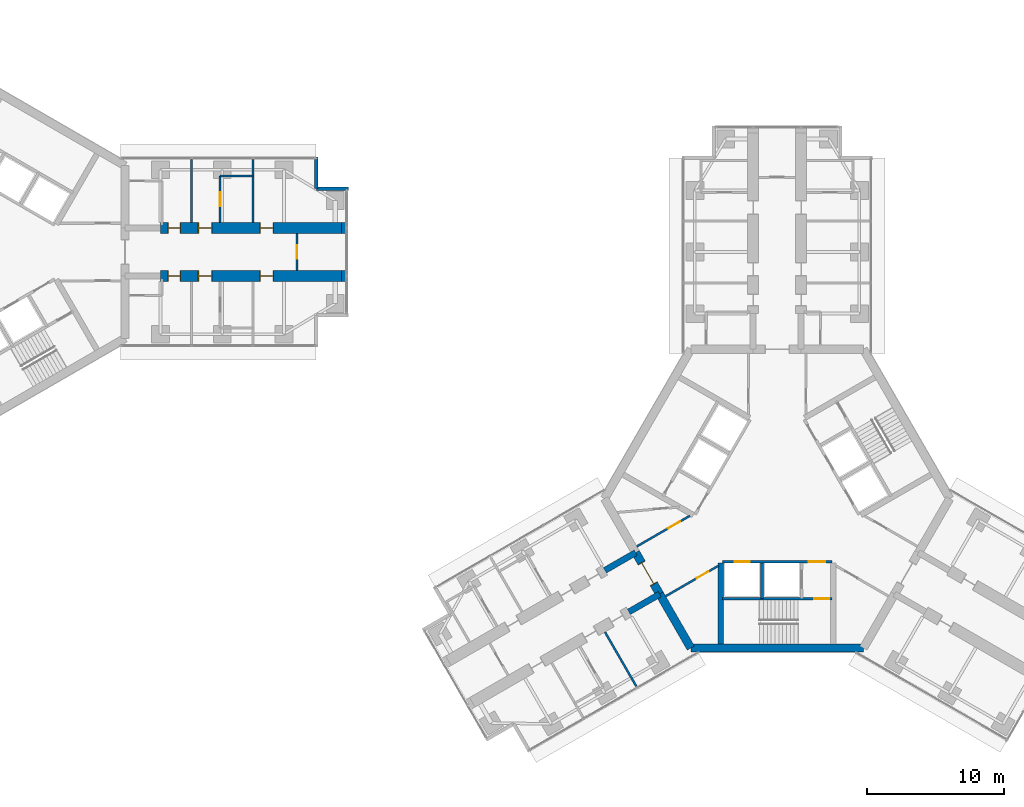
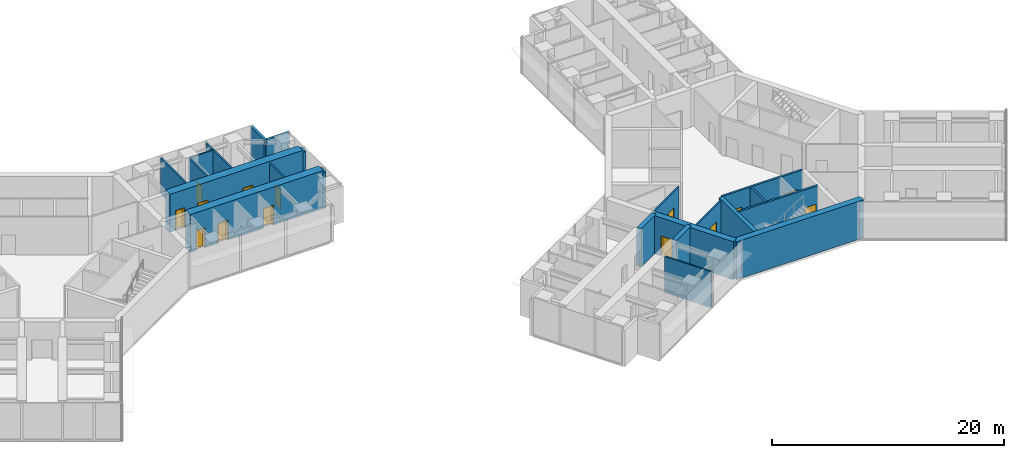
# One storey, part 18 of 22: 23 walls, 14 doors, 14 openings.
"""IFC4 building model written with IfcOpenShell, lengths in metres."""

import ifcopenshell
import ifcopenshell.guid

model = None  # the IFC model being written
_history = None  # IfcOwnerHistory: only IFC2X3 demands one
_inside = {}  # id of a spatial element -> (the spatial element, [elements in it])
_under = {}  # id of a project, library or spatial element -> (it, [spatial elements below it])
_declared = {}  # id of a project -> (the project, [libraries it declares])
_typed = {}  # id of a type object -> (the type object, [elements of that type])
_made_of = {}  # id of a material, layer set ... -> (it, [elements and type objects made of it])


def new_model(schema):
    """Start an empty IFC model of exactly this schema.

    Asked for "IFC4X3", IfcOpenShell would pick the latest addendum, in which some entities
    have other attributes; the version numbers below select the first issue.
    IFC2X3 requires an IfcOwnerHistory on every rooted entity: one is made here for all.
    """
    global model, _history
    if schema == "IFC4X3":
        model = ifcopenshell.file(schema_version=(4, 3, 0, 0))
    else:
        model = ifcopenshell.file(schema=schema)
    _inside.clear()
    _under.clear()
    _declared.clear()
    _typed.clear()
    _made_of.clear()
    _history = None
    if model.schema == "IFC2X3":
        org = make("IfcOrganization", Name="unknown")
        user = make(
            "IfcPersonAndOrganization",
            ThePerson=make("IfcPerson", FamilyName="unknown"),
            TheOrganization=org,
        )
        app = make(
            "IfcApplication",
            ApplicationDeveloper=org,
            Version="unknown",
            ApplicationFullName="unknown",
            ApplicationIdentifier="unknown",
        )
        _history = make(
            "IfcOwnerHistory",
            OwningUser=user,
            OwningApplication=app,
            ChangeAction="ADDED",
            CreationDate=0,
        )
    return model


def make(cls, **values):
    """One entity of the class cls with the attributes given. An attribute that is None is left unset."""
    return model.create_entity(
        cls, **{name: value for name, value in values.items() if value is not None}
    )


def rooted(cls, **values):
    """An entity with a GlobalId (a new one), such as an element, a storey or a relation."""
    return make(cls, GlobalId=ifcopenshell.guid.new(), OwnerHistory=_history, **values)


def si_unit(unit_type, name, prefix=None):
    """IfcSIUnit, for example si_unit("LENGTHUNIT", "METRE", prefix="MILLI")."""
    return make("IfcSIUnit", UnitType=unit_type, Prefix=prefix, Name=name)


def assignment(units):
    """IfcUnitAssignment: the units of a project."""
    return None if units is None else make("IfcUnitAssignment", Units=units)


def point(xyz):
    """IfcCartesianPoint."""
    return None if xyz is None else make("IfcCartesianPoint", Coordinates=xyz)


def direction(xyz):
    """IfcDirection."""
    return None if xyz is None else make("IfcDirection", DirectionRatios=xyz)


def frame(location, z_axis=None, x_axis=None):
    """IfcAxis2Placement3D, a coordinate frame: its origin and axes. An axis left out is left unset."""
    return make(
        "IfcAxis2Placement3D",
        Location=point(location),
        Axis=direction(z_axis),
        RefDirection=direction(x_axis),
    )


def frame_2d(location, x_axis=None):
    """IfcAxis2Placement2D, a coordinate frame in the plane: its origin and x axis."""
    return make(
        "IfcAxis2Placement2D", Location=point(location), RefDirection=direction(x_axis)
    )


def origin():
    """The frame at (0, 0, 0) with its axes left unset."""
    return frame((0.0, 0.0, 0.0))


def place(relative_to, where):
    """IfcLocalPlacement: puts the frame where relative to a parent placement (None: the world)."""
    return make(
        "IfcLocalPlacement", PlacementRelTo=relative_to, RelativePlacement=where
    )


def context(
    kind, dimensions, precision=None, world=None, true_north=None, identifier=None
):
    """IfcGeometricRepresentationContext, for example the 3D "Model" context."""
    return make(
        "IfcGeometricRepresentationContext",
        ContextIdentifier=identifier,
        ContextType=kind,
        CoordinateSpaceDimension=dimensions,
        Precision=precision,
        WorldCoordinateSystem=world,
        TrueNorth=true_north,
    )


def subcontext(parent, identifier, kind, view, scale=None):
    """IfcGeometricRepresentationSubContext, for example "Body" below "Model"."""
    return make(
        "IfcGeometricRepresentationSubContext",
        ContextIdentifier=identifier,
        ContextType=kind,
        ParentContext=parent,
        TargetScale=scale,
        TargetView=view,
    )


def project(units=None, contexts=None):
    """IfcProject with its units and contexts."""
    return rooted(
        "IfcProject",
        Name="project",
        RepresentationContexts=contexts,
        UnitsInContext=assignment(units),
    )


def spatial(cls, under=None, at=None, **own):
    """A site, building, storey or space (cls), placed at a placement, below another one or the project."""
    s = rooted(cls, ObjectPlacement=at, **own)
    if under is not None:
        _under.setdefault(under.id(), (under, []))[1].append(s)
    return s


def profile(cls, at=None, kind="AREA", **sizes):
    """A parametric profile (cls). Its sizes go by their IFC names, for example OverallWidth=200.0."""
    return make(cls, ProfileType=kind, Position=at, **sizes)


def rectangle(**sizes):
    """IfcRectangleProfileDef."""
    return profile("IfcRectangleProfileDef", **sizes)


def extrude(swept, where, along, depth):
    """IfcExtrudedAreaSolid: the profile swept, set in the frame where, extruded along a direction by depth."""
    return make(
        "IfcExtrudedAreaSolid",
        SweptArea=swept,
        Position=where,
        ExtrudedDirection=direction(along),
        Depth=depth,
    )


def shape(context_of_items, identifier, shape_type, items):
    """IfcShapeRepresentation: the items that make up one representation, for example the "Body"."""
    return make(
        "IfcShapeRepresentation",
        ContextOfItems=context_of_items,
        RepresentationIdentifier=identifier,
        RepresentationType=shape_type,
        Items=items,
    )


def material(Name=None, Category=None):
    """IfcMaterial."""
    return make("IfcMaterial", Name=Name, Category=Category)


def layer(
    of_material, thickness, ventilated=None, Name=None, Category=None, Priority=None
):
    """IfcMaterialLayer: one layer of a wall or slab, of a material (None: an air gap)."""
    return make(
        "IfcMaterialLayer",
        Material=of_material,
        LayerThickness=thickness,
        IsVentilated=ventilated,
        Name=Name,
        Category=Category,
        Priority=Priority,
    )


def layer_set(layers, Name=None):
    """IfcMaterialLayerSet."""
    return make("IfcMaterialLayerSet", MaterialLayers=layers, LayerSetName=Name)


def made_of(thing, what):
    """Note that an element or type object is made of a material, layer set ...; save() writes the relation."""
    if what is not None:
        _made_of.setdefault(what.id(), (what, []))[1].append(thing)
    return thing


def type_object(cls, material=None, **own):
    """A type object (cls), such as IfcWallType, which elements share."""
    return made_of(rooted(cls, **own), material)


def element(
    cls,
    number,
    at=None,
    inside=None,
    cuts=None,
    type_object=None,
    material=None,
    context=None,
    identifier="Body",
    shape_type=None,
    held_by="IfcProductDefinitionShape",
    body=None,
    shapes=None,
    **own,
):
    """One element of the class cls, such as IfcWall. Its Tag is "e" and its number.

    at: its placement. inside: the storey or other place that contains it. cuts: it is an
    opening in that element (IfcRelVoidsElement). A single representation is given by context,
    identifier, shape_type and body (its items); several are given by shapes. held_by: the class
    of the entity that holds the representations. save() writes the other relations.
    """
    e = rooted(cls, Tag="e%d" % number, ObjectPlacement=at, **own)
    if body is not None:
        shapes = [shape(context, identifier, shape_type, body)]
    if shapes is not None:
        e.Representation = make(held_by, Representations=shapes)
    if inside is not None:
        _inside.setdefault(inside.id(), (inside, []))[1].append(e)
    if cuts is not None:
        rooted(
            "IfcRelVoidsElement", RelatingBuildingElement=cuts, RelatedOpeningElement=e
        )
    if type_object is not None:
        _typed.setdefault(type_object.id(), (type_object, []))[1].append(e)
    return made_of(e, material)


def fill(opening, filler):
    """IfcRelFillsElement: the door or window that sits in an opening."""
    return rooted(
        "IfcRelFillsElement",
        RelatingOpeningElement=opening,
        RelatedBuildingElement=filler,
    )


def aggregate(whole, parts):
    """IfcRelAggregates: a whole, such as a stair, and the parts it consists of."""
    return rooted("IfcRelAggregates", RelatingObject=whole, RelatedObjects=parts)


def save(model, path):
    """Write the relations noted so far, then the file.

    IfcRelAggregates (storeys below a building ...), IfcRelContainedInSpatialStructure (elements
    in a storey), IfcRelDefinesByType, IfcRelAssociatesMaterial and IfcRelDeclares: one each for
    every whole, place, type object, material and project.
    """
    for whole, parts in _under.values():
        aggregate(whole, parts)
    for where, things in _inside.values():
        rooted(
            "IfcRelContainedInSpatialStructure",
            RelatedElements=things,
            RelatingStructure=where,
        )
    for kind, things in _typed.values():
        rooted("IfcRelDefinesByType", RelatedObjects=things, RelatingType=kind)
    for what, things in _made_of.values():
        rooted("IfcRelAssociatesMaterial", RelatedObjects=things, RelatingMaterial=what)
    for by, libraries in _declared.values():
        rooted("IfcRelDeclares", RelatingContext=by, RelatedDefinitions=libraries)
    model.write(path)


model = new_model("IFC4")

# Units and contexts
model_context = context("Model", 3, precision=1e-05, world=origin(), true_north=direction((0.0, 1.0)))
body_context = subcontext(model_context, "Body", "Model", "MODEL_VIEW")
ifc_project = project(units=[si_unit("LENGTHUNIT", "METRE"), si_unit("AREAUNIT", "SQUARE_METRE"), si_unit("VOLUMEUNIT", "CUBIC_METRE"), si_unit("PLANEANGLEUNIT", "RADIAN"), si_unit("MASSUNIT", "GRAM", prefix="KILO")], contexts=[model_context])

# Site, building, storey
site_placement = place(None, origin())
site = spatial("IfcSite", under=ifc_project, at=site_placement, CompositionType="ELEMENT")
building_placement = place(site_placement, origin())
building = spatial("IfcBuilding", under=site, at=building_placement, Name="Upepo Twin Towers", CompositionType="ELEMENT")
storey_placement = place(building_placement, frame((0.0, 0.0, 133.5)))
storey = spatial("IfcBuildingStorey", under=building, at=storey_placement, Name="L32", CompositionType="ELEMENT", Elevation=133.5)

# Walls
ifc_material_1 = material(Name="Dense concrete blockwork", Category="masonry")
ifc_layer_1 = layer(ifc_material_1, 0.800048828125)
ifc_layer_set_1 = layer_set([ifc_layer_1], Name="Buttress closer 800, blockwork with fire-stopping to the curtain wall")
wall_type_1 = type_object("IfcWallType", Name="Buttress closer 800, blockwork with fire-stopping to the curtain wall", PredefinedType="PARTITIONING", material=ifc_layer_set_1)
for number, where, z_axis, x_axis, name in (
    (1, (26.699951171875, 1.75, 0.0), (0.0, 0.0, 1.0), (1.0, 0.0, 0.0), "T1 L32 wing A buttress closer L"),
    (2, (26.699951171875, -1.75, 0.0), (0.0, 0.0, 1.0), (1.0, 0.0, 0.0), "T1 L32 wing A buttress closer R"),
):
    element("IfcWall", number, at=place(storey_placement, frame(where, z_axis=z_axis, x_axis=x_axis)), inside=storey, type_object=wall_type_1, Name=name, PredefinedType="PARTITIONING", context=body_context, shape_type="SweptSolid", body=[
        extrude(rectangle(XDim=0.300048828125, YDim=0.800048828125, at=frame_2d((0.14990234375, 0.0))), origin(), (0.0, 0.0, 1.0), 3.800048828125),
    ])
ifc_material_2 = material(Name="Concrete C60/75", Category="concrete")
ifc_layer_2 = layer(ifc_material_2, 0.449951171875)
ifc_layer_set_2 = layer_set([ifc_layer_2], Name="Concrete C60/75")
wall_type_2 = type_object("IfcWallType", Name="Buttress wall 450 RC", PredefinedType="SHEAR", material=ifc_layer_set_2)
for number, where, z_axis, x_axis, name in (
    (3, (49.92822265625, -24.9697265625, 0.0), (0.0, 0.0, 1.0), (-0.866031863473, -0.499988811324, 0.0), "T2 wing B buttress wall L"),
    (4, (48.17822265625, -21.938720703125, 0.0), (0.0, 0.0, 1.0), (-0.866072649678, -0.499918158782, 0.0), "T2 wing B buttress wall R"),
):
    element("IfcWall", number, at=place(storey_placement, frame(where, z_axis=z_axis, x_axis=x_axis)), inside=storey, type_object=wall_type_2, Name=name, PredefinedType="SHEAR", context=body_context, shape_type="SweptSolid", body=[
        extrude(rectangle(XDim=2.591796875, YDim=0.449951171875, at=frame_2d((1.2958984375, 0.0))), origin(), (0.0, 0.0, 1.0), 4.0),
    ])

# Wall, openings, doors
ifc_material_3 = material(Name="Concrete C60/75", Category="concrete")
ifc_layer_3 = layer(ifc_material_3, 0.800048828125)
ifc_layer_set_3 = layer_set([ifc_layer_3], Name="Concrete C60/75")
wall_type_3 = type_object("IfcWallType", Name="Buttress wall 800 RC", PredefinedType="SHEAR", material=ifc_layer_set_3)
wall_1_placement = place(storey_placement, frame((13.5, 1.75, 0.0), z_axis=(0.0, 0.0, 1.0), x_axis=(1.0, 0.0, 0.0)))
wall_1 = element("IfcWall", 5, at=wall_1_placement, inside=storey, type_object=wall_type_3, Name="T1 wing A buttress wall L part 2", PredefinedType="SHEAR", context=body_context, shape_type="SweptSolid", body=[
    extrude(rectangle(XDim=13.199951171875, YDim=0.800048828125, at=frame_2d((6.60009765625, 0.0))), origin(), (0.0, 0.0, 1.0), 4.0),
])
opening_1_placement = place(wall_1_placement, frame((0.550048828125, 0.0, 0.0)))
opening_1 = element("IfcOpeningElement", 6, at=opening_1_placement, cuts=wall_1, Name="Opening D11", PredefinedType="OPENING", context=body_context, shape_type="SweptSolid", body=[
    extrude(rectangle(XDim=0.89990234375, YDim=2.10009765625, at=frame_2d((0.449951171875, 1.050048828125))), frame((0.0, 0.409912109375, 0.0), z_axis=(0.0, -1.0, 0.0), x_axis=(1.0, 0.0, 0.0)), (0.0, 0.0, 1.0), 0.820068359375),
])
opening_2_placement = place(wall_1_placement, frame((2.75, 0.0, 0.0)))
opening_2 = element("IfcOpeningElement", 7, at=opening_2_placement, cuts=wall_1, Name="Opening D1", PredefinedType="OPENING", context=body_context, shape_type="SweptSolid", body=[
    extrude(rectangle(XDim=1.0, YDim=2.10009765625, at=frame_2d((0.5, 1.050048828125))), frame((0.0, 0.409912109375, 0.0), z_axis=(0.0, -1.0, 0.0), x_axis=(1.0, 0.0, 0.0)), (0.0, 0.0, 1.0), 0.820068359375),
])
opening_3_placement = place(wall_1_placement, frame((7.25, 0.0, 0.0)))
opening_3 = element("IfcOpeningElement", 8, at=opening_3_placement, cuts=wall_1, Name="Opening D1", PredefinedType="OPENING", context=body_context, shape_type="SweptSolid", body=[
    extrude(rectangle(XDim=1.0, YDim=2.10009765625, at=frame_2d((0.5, 1.050048828125))), frame((0.0, 0.409912109375, 0.0), z_axis=(0.0, -1.0, 0.0), x_axis=(1.0, 0.0, 0.0)), (0.0, 0.0, 1.0), 0.820068359375),
])
ifc_material_4 = material(Name="Timber doorset", Category="wood")
door_type_1 = type_object("IfcDoorType", Name="Room door 1000 FD30", OperationType="SINGLE_SWING_LEFT", PredefinedType="DOOR", material=ifc_material_4)
door_1_placement = place(opening_2_placement, origin())
door_1 = element("IfcDoor", 9, at=door_1_placement, inside=storey, type_object=door_type_1, Name="T1 L32 seminar room door", OperationType="SINGLE_SWING_LEFT", OverallHeight=2.10009765625, OverallWidth=1.0, PredefinedType="DOOR", context=body_context, shape_type="SweptSolid", body=[
    extrude(rectangle(XDim=0.92, YDim=2.06009765625, at=frame_2d((0.5, 1.030029296875))), frame((0.0, 0.02490234375, 0.0), z_axis=(0.0, -1.0, 0.0), x_axis=(1.0, 0.0, 0.0)), (0.0, 0.0, 1.0), 0.050048828125),
    extrude(rectangle(XDim=0.04, YDim=2.10009765625, at=frame_2d((0.02001953125, 1.050048828125))), frame((0.0, 0.39990234375, 0.0), z_axis=(0.0, -1.0, 0.0), x_axis=(1.0, 0.0, 0.0)), (0.0, 0.0, 1.0), 0.799560546875),
    extrude(rectangle(XDim=0.04, YDim=2.10009765625, at=frame_2d((0.97998046875, 1.050048828125))), frame((0.0, 0.39990234375, 0.0), z_axis=(0.0, -1.0, 0.0), x_axis=(1.0, 0.0, 0.0)), (0.0, 0.0, 1.0), 0.799560546875),
    extrude(rectangle(XDim=0.92, YDim=0.04, at=frame_2d((0.5, 2.080078125))), frame((0.0, 0.39990234375, 0.0), z_axis=(0.0, -1.0, 0.0), x_axis=(1.0, 0.0, 0.0)), (0.0, 0.0, 1.0), 0.799560546875),
])
fill(opening_2, door_1)
door_2_placement = place(opening_3_placement, origin())
door_2 = element("IfcDoor", 10, at=door_2_placement, inside=storey, type_object=door_type_1, Name="T1 L32 staff office door", OperationType="SINGLE_SWING_RIGHT", OverallHeight=2.10009765625, OverallWidth=1.0, PredefinedType="DOOR", context=body_context, shape_type="SweptSolid", body=[
    extrude(rectangle(XDim=0.92, YDim=2.06009765625, at=frame_2d((0.5, 1.030029296875))), frame((0.0, 0.02490234375, 0.0), z_axis=(0.0, -1.0, 0.0), x_axis=(1.0, 0.0, 0.0)), (0.0, 0.0, 1.0), 0.050048828125),
    extrude(rectangle(XDim=0.04, YDim=2.10009765625, at=frame_2d((0.02001953125, 1.050048828125))), frame((0.0, 0.39990234375, 0.0), z_axis=(0.0, -1.0, 0.0), x_axis=(1.0, 0.0, 0.0)), (0.0, 0.0, 1.0), 0.799560546875),
    extrude(rectangle(XDim=0.04, YDim=2.10009765625, at=frame_2d((0.97998046875, 1.050048828125))), frame((0.0, 0.39990234375, 0.0), z_axis=(0.0, -1.0, 0.0), x_axis=(1.0, 0.0, 0.0)), (0.0, 0.0, 1.0), 0.799560546875),
    extrude(rectangle(XDim=0.92, YDim=0.04, at=frame_2d((0.5, 2.080078125))), frame((0.0, 0.39990234375, 0.0), z_axis=(0.0, -1.0, 0.0), x_axis=(1.0, 0.0, 0.0)), (0.0, 0.0, 1.0), 0.799560546875),
])
fill(opening_3, door_2)
ifc_material_5 = material(Name="Timber doorset", Category="wood")
door_type_2 = type_object("IfcDoorType", Name="Toilet door 900", OperationType="SINGLE_SWING_LEFT", PredefinedType="DOOR", material=ifc_material_5)
door_3_placement = place(opening_1_placement, origin())
door_3 = element("IfcDoor", 11, at=door_3_placement, inside=storey, type_object=door_type_2, Name="T1 L32 accessible wc door", OperationType="SINGLE_SWING_LEFT", OverallHeight=2.10009765625, OverallWidth=0.89990234375, PredefinedType="DOOR", context=body_context, shape_type="SweptSolid", body=[
    extrude(rectangle(XDim=0.81990234375, YDim=2.06009765625, at=frame_2d((0.449951171875, 1.030029296875))), frame((0.0, 0.02490234375, 0.0), z_axis=(0.0, -1.0, 0.0), x_axis=(1.0, 0.0, 0.0)), (0.0, 0.0, 1.0), 0.050048828125),
    extrude(rectangle(XDim=0.04, YDim=2.10009765625, at=frame_2d((0.02001953125, 1.050048828125))), frame((0.0, 0.39990234375, 0.0), z_axis=(0.0, -1.0, 0.0), x_axis=(1.0, 0.0, 0.0)), (0.0, 0.0, 1.0), 0.799560546875),
    extrude(rectangle(XDim=0.04, YDim=2.10009765625, at=frame_2d((0.8798828125, 1.050048828125))), frame((0.0, 0.39990234375, 0.0), z_axis=(0.0, -1.0, 0.0), x_axis=(1.0, 0.0, 0.0)), (0.0, 0.0, 1.0), 0.799560546875),
    extrude(rectangle(XDim=0.81990234375, YDim=0.04, at=frame_2d((0.449951171875, 2.080078125))), frame((0.0, 0.39990234375, 0.0), z_axis=(0.0, -1.0, 0.0), x_axis=(1.0, 0.0, 0.0)), (0.0, 0.0, 1.0), 0.799560546875),
])
fill(opening_1, door_3)

wall_2_placement = place(storey_placement, frame((13.5, -1.75, 0.0), z_axis=(0.0, 0.0, 1.0), x_axis=(1.0, 0.0, 0.0)))
wall_2 = element("IfcWall", 12, at=wall_2_placement, inside=storey, type_object=wall_type_3, Name="T1 wing A buttress wall R part 2", PredefinedType="SHEAR", context=body_context, shape_type="SweptSolid", body=[
    extrude(rectangle(XDim=13.199951171875, YDim=0.800048828125, at=frame_2d((6.60009765625, 0.0))), origin(), (0.0, 0.0, 1.0), 4.0),
])
opening_4_placement = place(wall_2_placement, frame((0.550048828125, 0.0, 0.0)))
opening_4 = element("IfcOpeningElement", 13, at=opening_4_placement, cuts=wall_2, Name="Opening D11", PredefinedType="OPENING", context=body_context, shape_type="SweptSolid", body=[
    extrude(rectangle(XDim=0.89990234375, YDim=2.10009765625, at=frame_2d((0.449951171875, 1.050048828125))), frame((0.0, 0.409912109375, 0.0), z_axis=(0.0, -1.0, 0.0), x_axis=(1.0, 0.0, 0.0)), (0.0, 0.0, 1.0), 0.820068359375),
])
opening_5_placement = place(wall_2_placement, frame((2.75, 0.0, 0.0)))
opening_5 = element("IfcOpeningElement", 14, at=opening_5_placement, cuts=wall_2, Name="Opening D1", PredefinedType="OPENING", context=body_context, shape_type="SweptSolid", body=[
    extrude(rectangle(XDim=1.0, YDim=2.10009765625, at=frame_2d((0.5, 1.050048828125))), frame((0.0, 0.409912109375, 0.0), z_axis=(0.0, -1.0, 0.0), x_axis=(1.0, 0.0, 0.0)), (0.0, 0.0, 1.0), 0.820068359375),
])
opening_6_placement = place(wall_2_placement, frame((7.25, 0.0, 0.0)))
opening_6 = element("IfcOpeningElement", 15, at=opening_6_placement, cuts=wall_2, Name="Opening D1", PredefinedType="OPENING", context=body_context, shape_type="SweptSolid", body=[
    extrude(rectangle(XDim=1.0, YDim=2.10009765625, at=frame_2d((0.5, 1.050048828125))), frame((0.0, 0.409912109375, 0.0), z_axis=(0.0, -1.0, 0.0), x_axis=(1.0, 0.0, 0.0)), (0.0, 0.0, 1.0), 0.820068359375),
])
door_4_placement = place(opening_5_placement, origin())
door_4 = element("IfcDoor", 16, at=door_4_placement, inside=storey, type_object=door_type_1, Name="T1 L32 tutorial room door", OperationType="SINGLE_SWING_LEFT", OverallHeight=2.10009765625, OverallWidth=1.0, PredefinedType="DOOR", context=body_context, shape_type="SweptSolid", body=[
    extrude(rectangle(XDim=0.92, YDim=2.06009765625, at=frame_2d((0.5, 1.030029296875))), frame((0.0, 0.02490234375, 0.0), z_axis=(0.0, -1.0, 0.0), x_axis=(1.0, 0.0, 0.0)), (0.0, 0.0, 1.0), 0.050048828125),
    extrude(rectangle(XDim=0.04, YDim=2.10009765625, at=frame_2d((0.02001953125, 1.050048828125))), frame((0.0, 0.39990234375, 0.0), z_axis=(0.0, -1.0, 0.0), x_axis=(1.0, 0.0, 0.0)), (0.0, 0.0, 1.0), 0.799560546875),
    extrude(rectangle(XDim=0.04, YDim=2.10009765625, at=frame_2d((0.97998046875, 1.050048828125))), frame((0.0, 0.39990234375, 0.0), z_axis=(0.0, -1.0, 0.0), x_axis=(1.0, 0.0, 0.0)), (0.0, 0.0, 1.0), 0.799560546875),
    extrude(rectangle(XDim=0.92, YDim=0.04, at=frame_2d((0.5, 2.080078125))), frame((0.0, 0.39990234375, 0.0), z_axis=(0.0, -1.0, 0.0), x_axis=(1.0, 0.0, 0.0)), (0.0, 0.0, 1.0), 0.799560546875),
])
fill(opening_5, door_4)
door_5_placement = place(opening_6_placement, origin())
door_5 = element("IfcDoor", 17, at=door_5_placement, inside=storey, type_object=door_type_1, Name="T1 L32 computing laboratory door", OperationType="SINGLE_SWING_RIGHT", OverallHeight=2.10009765625, OverallWidth=1.0, PredefinedType="DOOR", context=body_context, shape_type="SweptSolid", body=[
    extrude(rectangle(XDim=0.92, YDim=2.06009765625, at=frame_2d((0.5, 1.030029296875))), frame((0.0, 0.02490234375, 0.0), z_axis=(0.0, -1.0, 0.0), x_axis=(1.0, 0.0, 0.0)), (0.0, 0.0, 1.0), 0.050048828125),
    extrude(rectangle(XDim=0.04, YDim=2.10009765625, at=frame_2d((0.02001953125, 1.050048828125))), frame((0.0, 0.39990234375, 0.0), z_axis=(0.0, -1.0, 0.0), x_axis=(1.0, 0.0, 0.0)), (0.0, 0.0, 1.0), 0.799560546875),
    extrude(rectangle(XDim=0.04, YDim=2.10009765625, at=frame_2d((0.97998046875, 1.050048828125))), frame((0.0, 0.39990234375, 0.0), z_axis=(0.0, -1.0, 0.0), x_axis=(1.0, 0.0, 0.0)), (0.0, 0.0, 1.0), 0.799560546875),
    extrude(rectangle(XDim=0.92, YDim=0.04, at=frame_2d((0.5, 2.080078125))), frame((0.0, 0.39990234375, 0.0), z_axis=(0.0, -1.0, 0.0), x_axis=(1.0, 0.0, 0.0)), (0.0, 0.0, 1.0), 0.799560546875),
])
fill(opening_6, door_5)
door_6_placement = place(opening_4_placement, origin())
door_6 = element("IfcDoor", 18, at=door_6_placement, inside=storey, type_object=door_type_2, Name="T1 L32 toilets door", OperationType="SINGLE_SWING_LEFT", OverallHeight=2.10009765625, OverallWidth=0.89990234375, PredefinedType="DOOR", context=body_context, shape_type="SweptSolid", body=[
    extrude(rectangle(XDim=0.81990234375, YDim=2.06009765625, at=frame_2d((0.449951171875, 1.030029296875))), frame((0.0, 0.02490234375, 0.0), z_axis=(0.0, -1.0, 0.0), x_axis=(1.0, 0.0, 0.0)), (0.0, 0.0, 1.0), 0.050048828125),
    extrude(rectangle(XDim=0.04, YDim=2.10009765625, at=frame_2d((0.02001953125, 1.050048828125))), frame((0.0, 0.39990234375, 0.0), z_axis=(0.0, -1.0, 0.0), x_axis=(1.0, 0.0, 0.0)), (0.0, 0.0, 1.0), 0.799560546875),
    extrude(rectangle(XDim=0.04, YDim=2.10009765625, at=frame_2d((0.8798828125, 1.050048828125))), frame((0.0, 0.39990234375, 0.0), z_axis=(0.0, -1.0, 0.0), x_axis=(1.0, 0.0, 0.0)), (0.0, 0.0, 1.0), 0.799560546875),
    extrude(rectangle(XDim=0.81990234375, YDim=0.04, at=frame_2d((0.449951171875, 2.080078125))), frame((0.0, 0.39990234375, 0.0), z_axis=(0.0, -1.0, 0.0), x_axis=(1.0, 0.0, 0.0)), (0.0, 0.0, 1.0), 0.799560546875),
])
fill(opening_4, door_6)

# Wall, opening, door
ifc_material_6 = material(Name="Concrete C60/75", Category="concrete")
ifc_layer_4 = layer(ifc_material_6, 0.60009765625)
ifc_layer_set_4 = layer_set([ifc_layer_4], Name="Concrete C60/75")
wall_type_4 = type_object("IfcWallType", Name="Core wall 600 RC", PredefinedType="SHEAR", material=ifc_layer_set_4)
wall_3_placement = place(storey_placement, frame((48.17822265625, -21.938720703125, 0.0), z_axis=(0.0, 0.0, 1.0), x_axis=(0.500010275428, -0.866019471182, 0.0)))
wall_3 = element("IfcWall", 19, at=wall_3_placement, inside=storey, type_object=wall_type_4, Name="T2 core wall 120", PredefinedType="SHEAR", context=body_context, shape_type="SweptSolid", body=[
    extrude(rectangle(XDim=3.5, YDim=0.60009765625, at=frame_2d((1.75, 0.0))), origin(), (0.0, 0.0, 1.0), 4.0),
])
opening_7_placement = place(wall_3_placement, frame((0.85009765625, 0.0, 0.0)))
opening_7 = element("IfcOpeningElement", 20, at=opening_7_placement, cuts=wall_3, Name="Opening D2", PredefinedType="OPENING", context=body_context, shape_type="SweptSolid", body=[
    extrude(rectangle(XDim=1.800048828125, YDim=2.10009765625, at=frame_2d((0.89990234375, 1.050048828125))), frame((0.0, 0.31005859375, 0.0), z_axis=(0.0, -1.0, 0.0), x_axis=(1.0, 0.0, 0.0)), (0.0, 0.0, 1.0), 0.6201171875),
])
ifc_material_7 = material(Name="Timber doorset", Category="wood")
door_type_3 = type_object("IfcDoorType", Name="Corridor double door 1800 FD60", OperationType="DOUBLE_DOOR_DOUBLE_SWING", PredefinedType="DOOR", material=ifc_material_7)
door_7_placement = place(opening_7_placement, origin())
door_7 = element("IfcDoor", 21, at=door_7_placement, inside=storey, type_object=door_type_3, Name="T2 L32 wing B corridor door", OperationType="DOUBLE_DOOR_DOUBLE_SWING", OverallHeight=2.10009765625, OverallWidth=1.800048828125, PredefinedType="DOOR", context=body_context, shape_type="SweptSolid", body=[
    extrude(rectangle(XDim=1.720048828125, YDim=2.06009765625, at=frame_2d((0.89990234375, 1.030029296875))), frame((0.0, 0.02490234375, 0.0), z_axis=(0.0, -1.0, 0.0), x_axis=(1.0, 0.0, 0.0)), (0.0, 0.0, 1.0), 0.050048828125),
    extrude(rectangle(XDim=0.04, YDim=2.10009765625, at=frame_2d((0.02001953125, 1.050048828125))), frame((0.0, 0.2998046875, 0.0), z_axis=(0.0, -1.0, 0.0), x_axis=(1.0, 0.0, 0.0)), (0.0, 0.0, 1.0), 0.599609375),
    extrude(rectangle(XDim=0.04, YDim=2.10009765625, at=frame_2d((1.780029296875, 1.050048828125))), frame((0.0, 0.2998046875, 0.0), z_axis=(0.0, -1.0, 0.0), x_axis=(1.0, 0.0, 0.0)), (0.0, 0.0, 1.0), 0.599609375),
    extrude(rectangle(XDim=1.720048828125, YDim=0.04, at=frame_2d((0.89990234375, 2.080078125))), frame((0.0, 0.2998046875, 0.0), z_axis=(0.0, -1.0, 0.0), x_axis=(1.0, 0.0, 0.0)), (0.0, 0.0, 1.0), 0.599609375),
])
fill(opening_7, door_7)

# Walls
wall_4_placement = place(storey_placement, frame((49.92822265625, -24.9697265625, 0.0), z_axis=(0.0, 0.0, 1.0), x_axis=(0.499984222037, -0.866034513004, 0.0)))
element("IfcWall", 22, at=wall_4_placement, inside=storey, type_object=wall_type_4, Name="T2 core wall 120 L", PredefinedType="SHEAR", context=body_context, shape_type="SweptSolid", body=[
    extrude(rectangle(XDim=4.548095703125, YDim=0.60009765625, at=frame_2d((2.27392578125, 0.0))), origin(), (0.0, 0.0, 1.0), 4.0),
])
wall_5_placement = place(storey_placement, frame((52.2021484375, -28.908447265625, 0.0), z_axis=(0.0, 0.0, 1.0), x_axis=(1.0, 0.0, 0.0)))
element("IfcWall", 23, at=wall_5_placement, inside=storey, type_object=wall_type_4, Name="T2 core wall 180", PredefinedType="SHEAR", context=body_context, shape_type="SweptSolid", body=[
    extrude(rectangle(XDim=12.595703125, YDim=0.60009765625, at=frame_2d((6.2978515625, 0.0))), origin(), (0.0, 0.0, 1.0), 4.0),
])
ifc_material_8 = material(Name="Blockwork with anodised aluminium cladding", Category="masonry")
ifc_layer_5 = layer(ifc_material_8, 0.25)
ifc_layer_set_5 = layer_set([ifc_layer_5], Name="Notch cladding wall 250, pale metal")
wall_type_5 = type_object("IfcWallType", Name="Notch cladding wall 250, pale metal", PredefinedType="STANDARD", material=ifc_layer_set_5)
for number, where, z_axis, x_axis, name in (
    (24, (24.875, 6.949951171875, 0.0), (0.0, 0.0, 1.0), (0.0, -1.0, 0.0), "T1 L32 wing A notch wall L1"),
    (25, (24.875, 4.625, 0.0), (0.0, 0.0, 1.0), (1.0, 0.0, 0.0), "T1 L32 wing A notch wall L2"),
):
    element("IfcWall", number, at=place(storey_placement, frame(where, z_axis=z_axis, x_axis=x_axis)), inside=storey, type_object=wall_type_5, Name=name, PredefinedType="STANDARD", context=body_context, shape_type="SweptSolid", body=[
        extrude(rectangle(XDim=2.324951171875, YDim=0.25, at=frame_2d((1.16259765625, 0.0))), origin(), (0.0, 0.0, 1.0), 3.800048828125),
    ])

# Wall, openings, doors
ifc_material_9 = material(Name="Concrete C40/50", Category="concrete")
ifc_layer_6 = layer(ifc_material_9, 0.199951171875)
ifc_layer_set_6 = layer_set([ifc_layer_6], Name="Concrete C40/50")
wall_type_6 = type_object("IfcWallType", Name="Shaft wall 200 RC", PredefinedType="SHEAR", material=ifc_layer_set_6)
wall_6_placement = place(storey_placement, frame((54.5, -22.60009765625, 0.0), z_axis=(0.0, 0.0, 1.0), x_axis=(1.0, 0.0, 0.0)))
wall_6 = element("IfcWall", 26, at=wall_6_placement, inside=storey, type_object=wall_type_6, Name="T2 core W180 front wall", PredefinedType="SHEAR", context=body_context, shape_type="SweptSolid", body=[
    extrude(rectangle(XDim=8.0, YDim=0.199951171875, at=frame_2d((4.0, 0.0))), origin(), (0.0, 0.0, 1.0), 4.0),
])
opening_8_placement = place(wall_6_placement, frame((6.300048828125, 0.0, 0.0)))
opening_8 = element("IfcOpeningElement", 27, at=opening_8_placement, cuts=wall_6, Name="Opening D4", PredefinedType="OPENING", context=body_context, shape_type="SweptSolid", body=[
    extrude(rectangle(XDim=1.199951171875, YDim=2.10009765625, at=frame_2d((0.60009765625, 1.050048828125))), frame((0.0, 0.10986328125, 0.0), z_axis=(0.0, -1.0, 0.0), x_axis=(1.0, 0.0, 0.0)), (0.0, 0.0, 1.0), 0.219970703125),
])
opening_9_placement = place(wall_6_placement, frame((0.89990234375, 0.0, 0.0)))
opening_9 = element("IfcOpeningElement", 28, at=opening_9_placement, cuts=wall_6, Name="Opening LD1", PredefinedType="OPENING", context=body_context, shape_type="SweptSolid", body=[
    extrude(rectangle(XDim=1.10009765625, YDim=2.199951171875, at=frame_2d((0.550048828125, 1.10009765625))), frame((0.0, 0.10986328125, 0.0), z_axis=(0.0, -1.0, 0.0), x_axis=(1.0, 0.0, 0.0)), (0.0, 0.0, 1.0), 0.219970703125),
])
ifc_material_10 = material(Name="Steel doorset", Category="steel")
door_type_4 = type_object("IfcDoorType", Name="Lift landing door 1100", OperationType="DOUBLE_DOOR_SLIDING", PredefinedType="DOOR", material=ifc_material_10)
door_8_placement = place(opening_9_placement, origin())
door_8 = element("IfcDoor", 29, at=door_8_placement, inside=storey, type_object=door_type_4, Name="T2 L32 lift SV1 landing door", OperationType="DOUBLE_DOOR_SLIDING", OverallHeight=2.199951171875, OverallWidth=1.10009765625, PredefinedType="DOOR", context=body_context, shape_type="SweptSolid", body=[
    extrude(rectangle(XDim=1.10009765625, YDim=2.199951171875, at=frame_2d((0.550048828125, 1.10009765625))), frame((0.0, 0.02490234375, 0.0), z_axis=(0.0, -1.0, 0.0), x_axis=(1.0, 0.0, 0.0)), (0.0, 0.0, 1.0), 0.050048828125),
])
fill(opening_9, door_8)
ifc_material_11 = material(Name="Timber doorset", Category="wood")
door_type_5 = type_object("IfcDoorType", Name="Lobby door 1200 FD60", OperationType="SINGLE_SWING_LEFT", PredefinedType="DOOR", material=ifc_material_11)
door_9_placement = place(opening_8_placement, origin())
door_9 = element("IfcDoor", 30, at=door_9_placement, inside=storey, type_object=door_type_5, Name="T2 L32 W180 lobby door", OperationType="SINGLE_SWING_RIGHT", OverallHeight=2.10009765625, OverallWidth=1.199951171875, PredefinedType="DOOR", context=body_context, shape_type="SweptSolid", body=[
    extrude(rectangle(XDim=1.199951171875, YDim=2.10009765625, at=frame_2d((0.60009765625, 1.050048828125))), frame((0.0, 0.02490234375, 0.0), z_axis=(0.0, -1.0, 0.0), x_axis=(1.0, 0.0, 0.0)), (0.0, 0.0, 1.0), 0.050048828125),
])
fill(opening_8, door_9)

# Wall
wall_7_placement = place(storey_placement, frame((57.39990234375, -22.699951171875, 0.0), z_axis=(0.0, 0.0, 1.0), x_axis=(0.0, -1.0, 0.0)))
element("IfcWall", 31, at=wall_7_placement, inside=storey, type_object=wall_type_6, Name="T2 core W180 shaft divider", PredefinedType="SHEAR", context=body_context, shape_type="SweptSolid", body=[
    extrude(rectangle(XDim=2.60009765625, YDim=0.199951171875, at=frame_2d((1.300048828125, 0.0))), origin(), (0.0, 0.0, 1.0), 4.0),
])

# Wall, opening, door
wall_8_placement = place(storey_placement, frame((54.5, -25.300048828125, 0.0), z_axis=(0.0, 0.0, 1.0), x_axis=(1.0, 0.0, 0.0)))
wall_8 = element("IfcWall", 32, at=wall_8_placement, inside=storey, type_object=wall_type_6, Name="T2 core W180 stair wall", PredefinedType="SHEAR", context=body_context, shape_type="SweptSolid", body=[
    extrude(rectangle(XDim=8.0, YDim=0.199951171875, at=frame_2d((4.0, 0.0))), origin(), (0.0, 0.0, 1.0), 4.0),
])
opening_10_placement = place(wall_8_placement, frame((6.699951171875, 0.0, 0.0)))
opening_10 = element("IfcOpeningElement", 33, at=opening_10_placement, cuts=wall_8, Name="Opening D3", PredefinedType="OPENING", context=body_context, shape_type="SweptSolid", body=[
    extrude(rectangle(XDim=1.10009765625, YDim=2.10009765625, at=frame_2d((0.550048828125, 1.050048828125))), frame((0.0, 0.10986328125, 0.0), z_axis=(0.0, -1.0, 0.0), x_axis=(1.0, 0.0, 0.0)), (0.0, 0.0, 1.0), 0.219970703125),
])
ifc_material_12 = material(Name="Timber doorset", Category="wood")
door_type_6 = type_object("IfcDoorType", Name="Stair door 1100 FD60", OperationType="SINGLE_SWING_LEFT", PredefinedType="DOOR", material=ifc_material_12)
door_10_placement = place(opening_10_placement, origin())
door_10 = element("IfcDoor", 34, at=door_10_placement, inside=storey, type_object=door_type_6, Name="T2 L32 stair door", OperationType="SINGLE_SWING_RIGHT", OverallHeight=2.10009765625, OverallWidth=1.10009765625, PredefinedType="DOOR", context=body_context, shape_type="SweptSolid", body=[
    extrude(rectangle(XDim=1.10009765625, YDim=2.10009765625, at=frame_2d((0.550048828125, 1.050048828125))), frame((0.0, 0.02490234375, 0.0), z_axis=(0.0, -1.0, 0.0), x_axis=(1.0, 0.0, 0.0)), (0.0, 0.0, 1.0), 0.050048828125),
])
fill(opening_10, door_10)

# Walls
ifc_material_13 = material(Name="Concrete C40/50", Category="concrete")
ifc_layer_7 = layer(ifc_material_13, 0.39990234375)
ifc_layer_set_7 = layer_set([ifc_layer_7], Name="Concrete C40/50")
wall_type_7 = type_object("IfcWallType", Name="Shaft wall 400 RC", PredefinedType="SHEAR", material=ifc_layer_set_7)
wall_9_placement = place(storey_placement, frame((54.39990234375, -22.699951171875, 0.0), z_axis=(0.0, 0.0, 1.0), x_axis=(0.0, -1.0, 0.0)))
element("IfcWall", 35, at=wall_9_placement, inside=storey, type_object=wall_type_7, Name="T2 core W180 side wall S", PredefinedType="SHEAR", context=body_context, shape_type="SweptSolid", body=[
    extrude(rectangle(XDim=5.908447265625, YDim=0.39990234375, at=frame_2d((2.9541015625, 0.0))), origin(), (0.0, 0.0, 1.0), 4.0),
])
ifc_material_14 = material(Name="Gypsum board on steel studs", Category="steel")
ifc_layer_8 = layer(ifc_material_14, 0.14990234375)
ifc_layer_set_8 = layer_set([ifc_layer_8], Name="Teaching partition 150 acoustic")
wall_type_8 = type_object("IfcWallType", Name="Teaching partition 150 acoustic", PredefinedType="PARTITIONING", material=ifc_layer_set_8)
for number, where, z_axis, x_axis, name in (
    (36, (15.75, 2.14990234375, 0.0), (0.0, 0.0, 1.0), (0.0, 1.0, 0.0), "T1 partition AL at 15.75"),
    (37, (20.25, 2.14990234375, 0.0), (0.0, 0.0, 1.0), (0.0, 1.0, 0.0), "T1 partition AL at 20.25"),
):
    element("IfcWall", number, at=place(storey_placement, frame(where, z_axis=z_axis, x_axis=x_axis)), inside=storey, type_object=wall_type_8, Name=name, PredefinedType="PARTITIONING", context=body_context, shape_type="SweptSolid", body=[
        extrude(rectangle(XDim=4.60009765625, YDim=0.14990234375, at=frame_2d((2.300048828125, 0.0))), origin(), (0.0, 0.0, 1.0), 3.800048828125),
    ])
wall_10_placement = place(storey_placement, frame((17.85009765625, 5.550048828125, 0.0), z_axis=(0.0, 0.0, 1.0), x_axis=(1.0, 0.0, 0.0)))
element("IfcWall", 38, at=wall_10_placement, inside=storey, type_object=wall_type_8, Name="T1 inner room partition AL at 17.85", PredefinedType="PARTITIONING", context=body_context, shape_type="SweptSolid", body=[
    extrude(rectangle(XDim=2.39990234375, YDim=0.14990234375, at=frame_2d((1.199951171875, 0.0))), origin(), (0.0, 0.0, 1.0), 3.800048828125),
])

# Wall, opening, door
wall_11_placement = place(storey_placement, frame((17.85009765625, 2.14990234375, 0.0), z_axis=(0.0, 0.0, 1.0), x_axis=(0.0, 1.0, 0.0)))
wall_11 = element("IfcWall", 39, at=wall_11_placement, inside=storey, type_object=wall_type_8, Name="T1 inner room partition AL end at 17.85", PredefinedType="PARTITIONING", context=body_context, shape_type="SweptSolid", body=[
    extrude(rectangle(XDim=3.400146484375, YDim=0.14990234375, at=frame_2d((1.7001953125, 0.0))), origin(), (0.0, 0.0, 1.0), 3.800048828125),
])
opening_11_placement = place(wall_11_placement, frame((1.199951171875, 0.0, 0.0)))
opening_11 = element("IfcOpeningElement", 40, at=opening_11_placement, cuts=wall_11, Name="Opening D1", PredefinedType="OPENING", context=body_context, shape_type="SweptSolid", body=[
    extrude(rectangle(XDim=1.0, YDim=2.10009765625, at=frame_2d((0.5, 1.050048828125))), frame((0.0, 0.0849609375, 0.0), z_axis=(0.0, -1.0, 0.0), x_axis=(1.0, 0.0, 0.0)), (0.0, 0.0, 1.0), 0.169921875),
])
door_11_placement = place(opening_11_placement, origin())
door_11 = element("IfcDoor", 41, at=door_11_placement, inside=storey, type_object=door_type_1, Name="T1 L32 inner room door", OperationType="SINGLE_SWING_LEFT", OverallHeight=2.10009765625, OverallWidth=1.0, PredefinedType="DOOR", context=body_context, shape_type="SweptSolid", body=[
    extrude(rectangle(XDim=1.0, YDim=2.10009765625, at=frame_2d((0.5, 1.050048828125))), frame((0.0, 0.02490234375, 0.0), z_axis=(0.0, -1.0, 0.0), x_axis=(1.0, 0.0, 0.0)), (0.0, 0.0, 1.0), 0.050048828125),
])
fill(opening_11, door_11)

wall_12_placement = place(storey_placement, frame((23.449951171875, -1.35009765625, 0.0), z_axis=(0.0, 0.0, 1.0), x_axis=(0.0, 1.0, 0.0)))
wall_12 = element("IfcWall", 42, at=wall_12_placement, inside=storey, type_object=wall_type_8, Name="T1 corridor end partition A at 23.45", PredefinedType="PARTITIONING", context=body_context, shape_type="SweptSolid", body=[
    extrude(rectangle(XDim=2.7001953125, YDim=0.14990234375, at=frame_2d((1.35009765625, 0.0))), origin(), (0.0, 0.0, 1.0), 3.800048828125),
])
opening_12_placement = place(wall_12_placement, frame((0.85009765625, 0.0, 0.0)))
opening_12 = element("IfcOpeningElement", 43, at=opening_12_placement, cuts=wall_12, Name="Opening D1", PredefinedType="OPENING", context=body_context, shape_type="SweptSolid", body=[
    extrude(rectangle(XDim=1.0, YDim=2.10009765625, at=frame_2d((0.5, 1.050048828125))), frame((0.0, 0.0849609375, 0.0), z_axis=(0.0, -1.0, 0.0), x_axis=(1.0, 0.0, 0.0)), (0.0, 0.0, 1.0), 0.169921875),
])
door_12_placement = place(opening_12_placement, origin())
door_12 = element("IfcDoor", 44, at=door_12_placement, inside=storey, type_object=door_type_1, Name="T1 L32 breakout study room door", OperationType="SINGLE_SWING_LEFT", OverallHeight=2.10009765625, OverallWidth=1.0, PredefinedType="DOOR", context=body_context, shape_type="SweptSolid", body=[
    extrude(rectangle(XDim=1.0, YDim=2.10009765625, at=frame_2d((0.5, 1.050048828125))), frame((0.0, 0.02490234375, 0.0), z_axis=(0.0, -1.0, 0.0), x_axis=(1.0, 0.0, 0.0)), (0.0, 0.0, 1.0), 0.050048828125),
])
fill(opening_12, door_12)

# Wall
wall_13_placement = place(storey_placement, frame((45.93505859375, -27.737060546875, 0.0), z_axis=(0.0, 0.0, 1.0), x_axis=(0.500014953309, -0.866016770315, 0.0)))
element("IfcWall", 45, at=wall_13_placement, inside=storey, type_object=wall_type_8, Name="T2 partition BL at 15.75", PredefinedType="PARTITIONING", context=body_context, shape_type="SweptSolid", body=[
    extrude(rectangle(XDim=4.599853515625, YDim=0.14990234375, at=frame_2d((2.2998046875, 0.0))), origin(), (0.0, 0.0, 1.0), 3.800048828125),
])

# Wall, opening, door
wall_14_placement = place(storey_placement, frame((48.25439453125, -21.490478515625, 0.0), z_axis=(0.0, 0.0, 1.0), x_axis=(0.866025707867, 0.499999473313, 0.0)))
wall_14 = element("IfcWall", 46, at=wall_14_placement, inside=storey, type_object=wall_type_8, Name="T2 core room partition 1", PredefinedType="PARTITIONING", context=body_context, shape_type="SweptSolid", body=[
    extrude(rectangle(XDim=4.4755859375, YDim=0.14990234375, at=frame_2d((2.23779296875, 0.0))), origin(), (0.0, 0.0, 1.0), 3.800048828125),
])
opening_13_placement = place(wall_14_placement, frame((2.633056640625, 0.0, 0.0)))
opening_13 = element("IfcOpeningElement", 47, at=opening_13_placement, cuts=wall_14, Name="Opening D1", PredefinedType="OPENING", context=body_context, shape_type="SweptSolid", body=[
    extrude(rectangle(XDim=1.0, YDim=2.10009765625, at=frame_2d((0.5, 1.050048828125))), frame((0.0, 0.0849609375, 0.0), z_axis=(0.0, -1.0, 0.0), x_axis=(1.0, 0.0, 0.0)), (0.0, 0.0, 1.0), 0.169921875),
])
door_13_placement = place(opening_13_placement, origin())
door_13 = element("IfcDoor", 48, at=door_13_placement, inside=storey, type_object=door_type_1, Name="T2 L32 core room door K2", OperationType="SINGLE_SWING_RIGHT", OverallHeight=2.10009765625, OverallWidth=1.0, PredefinedType="DOOR", context=body_context, shape_type="SweptSolid", body=[
    extrude(rectangle(XDim=1.0, YDim=2.10009765625, at=frame_2d((0.5, 1.050048828125))), frame((0.0, 0.02490234375, 0.0), z_axis=(0.0, -1.0, 0.0), x_axis=(1.0, 0.0, 0.0)), (0.0, 0.0, 1.0), 0.050048828125),
])
fill(opening_13, door_13)

wall_15_placement = place(storey_placement, frame((54.230224609375, -22.889892578125, 0.0), z_axis=(0.0, 0.0, 1.0), x_axis=(-0.866025707867, -0.499999473313, 0.0)))
wall_15 = element("IfcWall", 49, at=wall_15_placement, inside=storey, type_object=wall_type_8, Name="T2 core room partition 6", PredefinedType="PARTITIONING", context=body_context, shape_type="SweptSolid", body=[
    extrude(rectangle(XDim=4.4755859375, YDim=0.14990234375, at=frame_2d((2.23779296875, 0.0))), origin(), (0.0, 0.0, 1.0), 3.800048828125),
])
opening_14_placement = place(wall_15_placement, frame((0.8427734375, 0.0, 0.0)))
opening_14 = element("IfcOpeningElement", 50, at=opening_14_placement, cuts=wall_15, Name="Opening D1", PredefinedType="OPENING", context=body_context, shape_type="SweptSolid", body=[
    extrude(rectangle(XDim=1.0, YDim=2.10009765625, at=frame_2d((0.5, 1.050048828125))), frame((0.0, 0.0849609375, 0.0), z_axis=(0.0, -1.0, 0.0), x_axis=(1.0, 0.0, 0.0)), (0.0, 0.0, 1.0), 0.169921875),
])
door_14_placement = place(opening_14_placement, origin())
door_14 = element("IfcDoor", 51, at=door_14_placement, inside=storey, type_object=door_type_1, Name="T2 L32 core room door K3", OperationType="SINGLE_SWING_LEFT", OverallHeight=2.10009765625, OverallWidth=1.0, PredefinedType="DOOR", context=body_context, shape_type="SweptSolid", body=[
    extrude(rectangle(XDim=1.0, YDim=2.10009765625, at=frame_2d((0.5, 1.050048828125))), frame((0.0, 0.02490234375, 0.0), z_axis=(0.0, -1.0, 0.0), x_axis=(1.0, 0.0, 0.0)), (0.0, 0.0, 1.0), 0.050048828125),
])
fill(opening_14, door_14)

save(model, "model.ifc")
